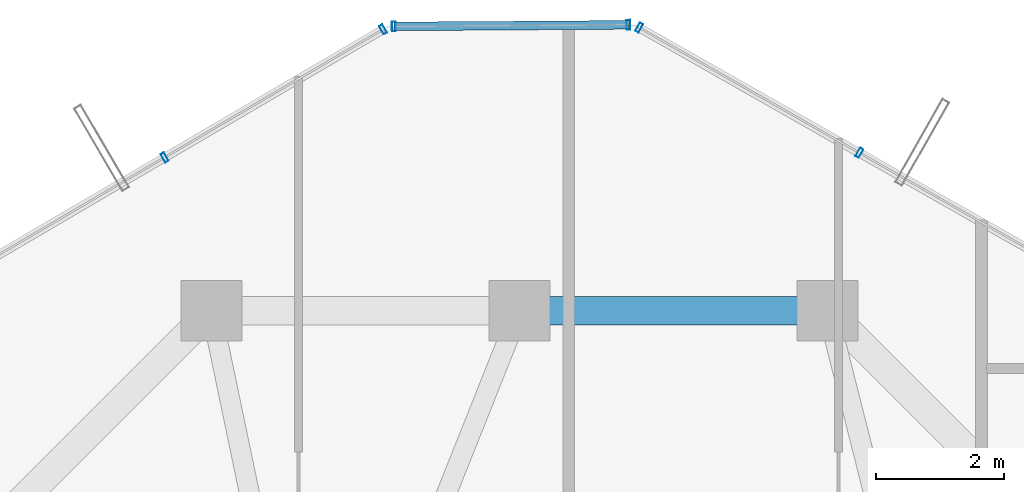
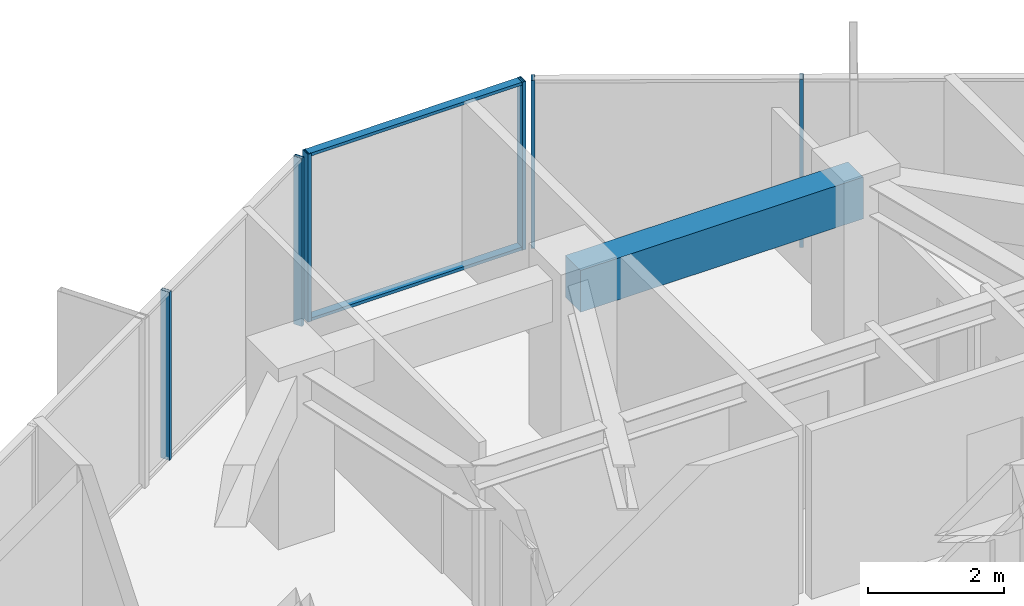
# One storey, part 22 of 31: 8 members, 1 beam, 3 elements without a shape of their own.
"""IFC4 building model written with IfcOpenShell, lengths in metres."""

from ifc_helpers import new_model, si_unit, direction, frame, origin, origin_2d, place, context, subcontext, project, spatial, rectangle, hollow_rectangle, extrude, source, transform, mapped, material, layer, layer_set, material_profile, profile_set, type_object, element, aggregate, save


model = new_model("IFC4")

# Units and contexts
model_context = context("Model", 3, precision=1e-05, world=origin(), true_north=direction((0.0, 1.0)))
body_context = subcontext(model_context, "Body", "Model", "MODEL_VIEW")
ifc_project = project(units=[si_unit("LENGTHUNIT", "METRE"), si_unit("AREAUNIT", "SQUARE_METRE"), si_unit("VOLUMEUNIT", "CUBIC_METRE"), si_unit("PLANEANGLEUNIT", "RADIAN"), si_unit("MASSUNIT", "GRAM", prefix="KILO")], contexts=[model_context])

# Site, building, storey
site_placement = place(None, origin())
site = spatial("IfcSite", under=ifc_project, at=site_placement, CompositionType="ELEMENT")
building_placement = place(site_placement, origin())
building = spatial("IfcBuilding", under=site, at=building_placement, Name="Veraguas Prism Commons", CompositionType="ELEMENT")
storey_placement = place(building_placement, frame((0.0, 0.0, 204.85009765625)))
storey = spatial("IfcBuildingStorey", under=building, at=storey_placement, Name="L58", CompositionType="ELEMENT", Elevation=204.85009765625)

# Beam
ifc_material_1 = material(Name="Concrete C50/60", Category="concrete")
ifc_material_profile_1 = material_profile(ifc_material_1, rectangle(XDim=0.449951171875, YDim=0.75, at=origin_2d()), Name="RC450X750")
ifc_profile_set_1 = profile_set([ifc_material_profile_1], Name="Concrete C50/60")
beam_type = type_object("IfcBeamType", Name="Perimeter Spandrel Upper RC 450x750", PredefinedType="SPANDREL", material=ifc_profile_set_1)
beam_placement = place(storey_placement, frame((28.800048828125, 38.89990234375, 2.639892578125), z_axis=(-1.0, 0.0, 0.0), x_axis=(0.0, -1.0, 0.0)))
element("IfcBeam", 1, at=beam_placement, inside=storey, type_object=beam_type, Name="Perimeter Spandrel Beam L58-SP04", PredefinedType="SPANDREL", context=body_context, shape_type="SweptSolid", body=[
    extrude(rectangle(XDim=0.449951171875, YDim=0.75, at=origin_2d()), origin(), (0.0, 0.0, 1.0), 4.800048828125),
])

# Curtain wall, members
ifc_material_2 = material(Name="Anodised aluminium EN AW-6063 T6", Category="aluminium")
ifc_layer = layer(ifc_material_2, 0.14990234375, Name="Unitised Flush Curtain Wall Zone 3", Category="aluminium")
ifc_layer_set = layer_set([ifc_layer], Name="Anodised aluminium EN AW-6063 T6")
curtain_wall_type = type_object("IfcCurtainWallType", Name="Unitised Flush Curtain Wall Zone 3", PredefinedType="NOTDEFINED", material=ifc_layer_set)
curtain_wall_1_placement = place(storey_placement, origin())
curtain_wall_1 = element("IfcCurtainWall", 2, at=curtain_wall_1_placement, inside=storey, type_object=curtain_wall_type, Name="Tower Facade Curtain Wall L58-F1", PredefinedType="NOTDEFINED")
ifc_material_profile_2 = material_profile(ifc_material_2, hollow_rectangle(XDim=0.06005859375, YDim=0.14990234375, WallThickness=0.0029296875, at=origin_2d()), Name="AL60X150X3")
ifc_profile_set_2 = profile_set([ifc_material_profile_2], Name="Anodised aluminium EN AW-6063 T6")
member_type_1 = type_object("IfcMemberType", Name="Curtain Wall Mullion Upper AL 60x150x3", PredefinedType="MULLION", material=ifc_profile_set_2)
shared_shape_1 = source(origin(), body_context, "Body", "SweptSolid", [
    extrude(hollow_rectangle(XDim=0.06005859375, YDim=0.14990234375, WallThickness=0.0029296875, at=origin_2d()), origin(), (0.0, 0.0, 1.0), 3.014892578125),
])
member_1_placement = place(storey_placement, frame((29.297119140625, 41.36083984375, 0.0), z_axis=(0.0, 0.0, 1.0), x_axis=(-0.869323320918, 0.494243830218, 0.0)))
member_1 = element("IfcMember", 3, at=member_1_placement, type_object=member_type_1, Name="CW-Z3 Mullion 4", PredefinedType="MULLION", context=body_context, shape_type="MappedRepresentation", body=[
    mapped(shared_shape_1, transform((0.0, 0.0, 0.0), scale=1.0)),
])
member_2_placement = place(storey_placement, frame((25.8671875, 43.310791015625, 0.0), z_axis=(0.0, 0.0, 1.0), x_axis=(-0.869323320918, 0.494243830218, 0.0)))
member_2 = element("IfcMember", 4, at=member_2_placement, type_object=member_type_1, Name="CW-Z3 Mullion 5", PredefinedType="MULLION", context=body_context, shape_type="MappedRepresentation", body=[
    mapped(shared_shape_1, transform((0.0, 0.0, 0.0), scale=1.0)),
])
aggregate(curtain_wall_1, [member_1, member_2])

curtain_wall_2_placement = place(storey_placement, origin())
curtain_wall_2 = element("IfcCurtainWall", 5, at=curtain_wall_2_placement, inside=storey, type_object=curtain_wall_type, Name="Tower Facade Curtain Wall L58-F2", PredefinedType="NOTDEFINED")
member_3_placement = place(storey_placement, frame((21.876953125, 43.284423828125, 0.0), z_axis=(0.0, 0.0, 1.0), x_axis=(-0.86268584238, -0.505740187604, 0.0)))
member_3 = element("IfcMember", 6, at=member_3_placement, type_object=member_type_1, Name="CW-Z3 Mullion 1", PredefinedType="MULLION", context=body_context, shape_type="MappedRepresentation", body=[
    mapped(shared_shape_1, transform((0.0, 0.0, 0.0), scale=1.0)),
])
member_4_placement = place(storey_placement, frame((18.47314453125, 41.2890625, 0.0), z_axis=(0.0, 0.0, 1.0), x_axis=(-0.86268584238, -0.505740187604, 0.0)))
member_4 = element("IfcMember", 7, at=member_4_placement, type_object=member_type_1, Name="CW-Z3 Mullion 2", PredefinedType="MULLION", context=body_context, shape_type="MappedRepresentation", body=[
    mapped(shared_shape_1, transform((0.0, 0.0, 0.0), scale=1.0)),
])
aggregate(curtain_wall_2, [member_3, member_4])

curtain_wall_3_placement = place(storey_placement, origin())
curtain_wall_3 = element("IfcCurtainWall", 8, at=curtain_wall_3_placement, inside=storey, type_object=curtain_wall_type, Name="Chamfer Curtain Wall L58-C2", PredefinedType="NOTDEFINED")
member_5_placement = place(storey_placement, frame((25.698974609375, 43.354736328125, 0.0), z_axis=(0.0, 0.0, 1.0), x_axis=(-0.999978064542, -0.006623476081, 0.0)))
member_5 = element("IfcMember", 9, at=member_5_placement, type_object=member_type_1, Name="CW-Z3 Mullion 1", PredefinedType="MULLION", context=body_context, shape_type="MappedRepresentation", body=[
    mapped(shared_shape_1, transform((0.0, 0.0, 0.0), scale=1.0)),
])
member_6_placement = place(storey_placement, frame((22.044677734375, 43.33056640625, 0.0), z_axis=(0.0, 0.0, 1.0), x_axis=(-0.999978064542, -0.006623476081, 0.0)))
member_6 = element("IfcMember", 10, at=member_6_placement, type_object=member_type_1, Name="CW-Z3 Mullion 2", PredefinedType="MULLION", context=body_context, shape_type="MappedRepresentation", body=[
    mapped(shared_shape_1, transform((0.0, 0.0, 0.0), scale=1.0)),
])
ifc_material_profile_3 = material_profile(ifc_material_2, hollow_rectangle(XDim=0.054931640625, YDim=0.135009765625, WallThickness=0.0029296875, at=origin_2d()), Name="AL55X135X3")
ifc_profile_set_3 = profile_set([ifc_material_profile_3], Name="Anodised aluminium EN AW-6063 T6")
member_type_2 = type_object("IfcMemberType", Name="Curtain Wall Transom Standard AL 55x135x3", PredefinedType="USERDEFINED", material=ifc_profile_set_3)
shared_shape_2 = source(origin(), body_context, "Body", "SweptSolid", [
    extrude(hollow_rectangle(XDim=0.054931640625, YDim=0.135009765625, WallThickness=0.0029296875, at=origin_2d()), origin(), (0.0, 0.0, 1.0), 3.654296875),
])
member_7_placement = place(storey_placement, frame((25.698974609375, 43.354736328125, 0.02734375), z_axis=(-0.999978127491, -0.006613965434, 0.0), x_axis=(0.0, 0.0, 1.0)))
member_7 = element("IfcMember", 11, at=member_7_placement, type_object=member_type_2, Name="CW-Z3 Transom 1", ObjectType="TRANSOM", PredefinedType="USERDEFINED", context=body_context, shape_type="MappedRepresentation", body=[
    mapped(shared_shape_2, transform((0.0, 0.0, 0.0), scale=1.0)),
])
member_8_placement = place(storey_placement, frame((25.698974609375, 43.354736328125, 2.9873046875), z_axis=(-0.999978127491, -0.006613965434, 0.0), x_axis=(0.0, 0.0, 1.0)))
member_8 = element("IfcMember", 12, at=member_8_placement, type_object=member_type_2, Name="CW-Z3 Transom 2", ObjectType="TRANSOM", PredefinedType="USERDEFINED", context=body_context, shape_type="MappedRepresentation", body=[
    mapped(shared_shape_2, transform((0.0, 0.0, 0.0), scale=1.0)),
])
aggregate(curtain_wall_3, [member_5, member_6, member_7, member_8])

save(model, "model.ifc")
